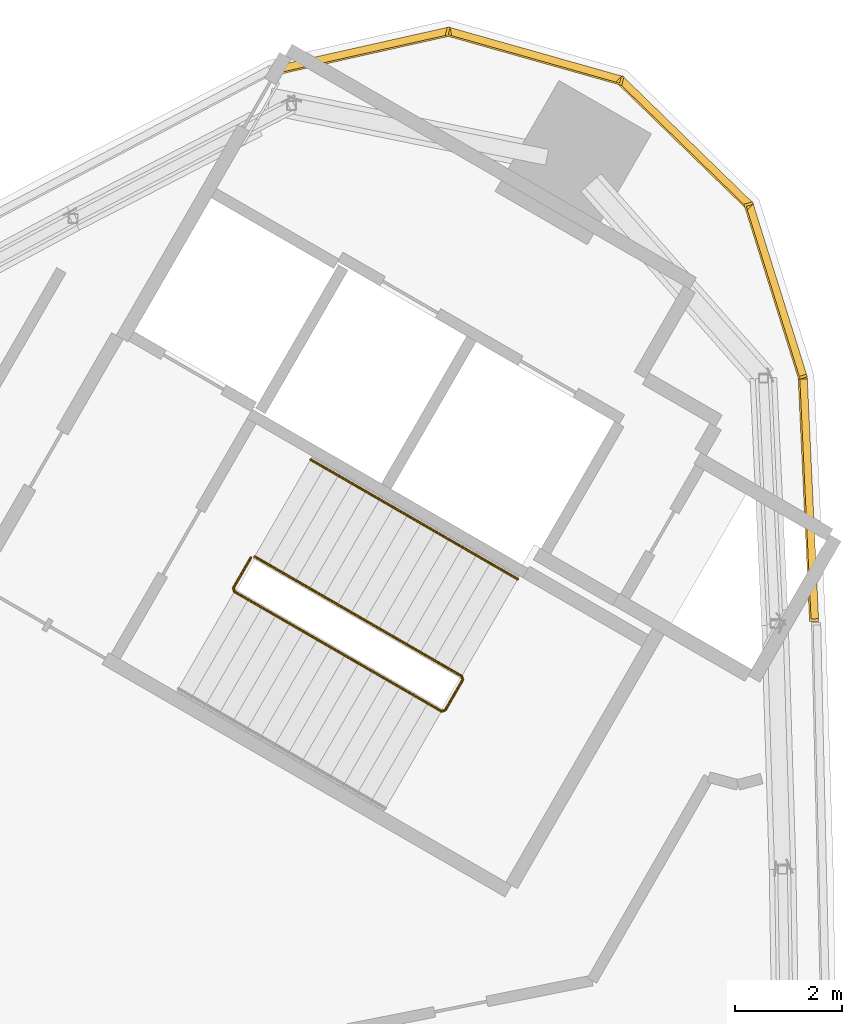
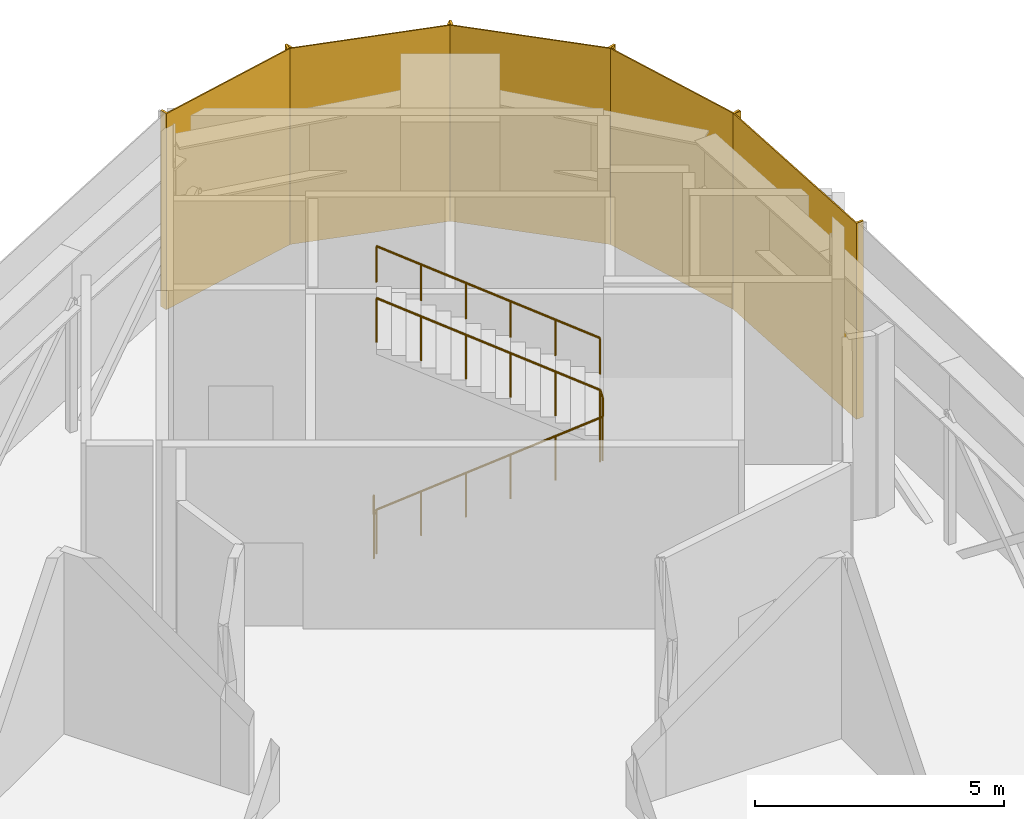
# One storey, part 21 of 21: 5 coverings, 2 railings.
"""IFC4 building model written with IfcOpenShell, lengths in metres."""

from ifc_helpers import new_model, si_unit, direction, frame, frame_2d, origin, origin_2d, place, context, subcontext, project, spatial, rectangle, circle, extrude, source, transform, mapped, material, type_object, element, save


model = new_model("IFC4")

# Units and contexts
model_context = context("Model", 3, precision=1e-05, world=origin(), true_north=direction((0.0, 1.0)))
body_context = subcontext(model_context, "Body", "Model", "MODEL_VIEW")
ifc_project = project(units=[si_unit("LENGTHUNIT", "METRE"), si_unit("AREAUNIT", "SQUARE_METRE"), si_unit("VOLUMEUNIT", "CUBIC_METRE"), si_unit("PLANEANGLEUNIT", "RADIAN"), si_unit("MASSUNIT", "GRAM", prefix="KILO")], contexts=[model_context])

# Site, building, storey
site_placement = place(None, origin())
site = spatial("IfcSite", under=ifc_project, at=site_placement, CompositionType="ELEMENT")
building_placement = place(site_placement, origin())
building = spatial("IfcBuilding", under=site, at=building_placement, Name="Tamra Quay Hotel Tower", CompositionType="ELEMENT")
storey_placement = place(building_placement, frame((0.0, 0.0, 301.800048828125)))
storey = spatial("IfcBuildingStorey", under=building, at=storey_placement, Name="L76", CompositionType="ELEMENT", Elevation=301.800048828125)

# Railings
ifc_material_1 = material(Name="Stair guard 1100")
railing_type_1 = type_object("IfcRailingType", Name="Stair guard 1100", PredefinedType="GUARDRAIL", material=ifc_material_1)
railing_1_placement = place(storey_placement, frame((5.595458984375, 12.751953125, 0.0)))
element("IfcRailing", 1, at=railing_1_placement, inside=storey, type_object=railing_type_1, Name="GR", PredefinedType="GUARDRAIL", context=body_context, shape_type="SweptSolid", body=[
    extrude(circle(Radius=0.02392578125, at=origin_2d()), frame((0.0, 0.0, 1.076171875), z_axis=(-0.499765215335, -0.866160914346, 0.0), x_axis=(0.866160914346, -0.499765215335, 0.0)), (0.0, 0.0, 1.0), 0.658935546875),
    extrude(circle(Radius=0.02392578125, at=origin_2d()), frame((-0.329345703125, -0.57080078125, 1.076171875), z_axis=(0.110525977783, -0.411156637351, 0.904839338113), x_axis=(0.965715946433, 0.259601060869, 0.0)), (0.0, 0.0, 1.0), 0.165771484375),
    extrude(circle(Radius=0.02392578125, at=origin_2d()), frame((-0.31103515625, -0.638916015625, 1.22607421875), z_axis=(0.774058831731, -0.446948546627, 0.448408208764), x_axis=(0.500038154266, 0.866003374288, 0.0)), (0.0, 0.0, 1.0), 5.017822265625),
    extrude(circle(Radius=0.02392578125, at=origin_2d()), frame((3.572998046875, -2.881591796875, 3.47607421875), z_axis=(0.965948051503, 0.258736085224, 0.0), x_axis=(-0.258736085224, 0.965948051503, 0.0)), (0.0, 0.0, 1.0), 0.07080078125),
    extrude(circle(Radius=0.02392578125, at=origin_2d()), frame((3.641357421875, -2.86328125, 3.47607421875), z_axis=(0.499765215335, 0.866160914346, 0.0), x_axis=(-0.866160914346, 0.499765215335, 0.0)), (0.0, 0.0, 1.0), 0.658935546875),
    extrude(circle(Radius=0.02392578125, at=origin_2d()), frame((3.970703125, -2.29248046875, 3.47607421875), z_axis=(-0.110312011401, 0.411831509231, 0.90455849349), x_axis=(-0.965948051503, -0.258736085224, 0.0)), (0.0, 0.0, 1.0), 0.166015625),
    extrude(circle(Radius=0.02392578125, at=origin_2d()), frame((3.952392578125, -2.22412109375, 3.6259765625), z_axis=(-0.774075664405, 0.446909609502, 0.448417959844), x_axis=(-0.499997328569, -0.86602694613, 0.0)), (0.0, 0.0, 1.0), 5.017578125),
    extrude(circle(Radius=0.02099609375, at=origin_2d()), origin(), (0.0, 0.0, 1.0), 1.052001953125),
    extrude(circle(Radius=0.02099609375, at=origin_2d()), frame((-0.329345703125, -0.57080078125, 0.0)), (0.0, 0.0, 1.0), 1.052001953125),
    extrude(circle(Radius=0.02099609375, at=origin_2d()), frame((-0.31103515625, -0.638916015625, 0.14990234375)), (0.0, 0.0, 1.0), 1.052001953125),
    extrude(circle(Radius=0.02099609375, at=origin_2d()), frame((0.4658203125, -1.08740234375, 0.599853515625)), (0.0, 0.0, 1.0), 1.052001953125),
    extrude(circle(Radius=0.02099609375, at=origin_2d()), frame((1.24267578125, -1.535888671875, 1.0498046875)), (0.0, 0.0, 1.0), 1.052001953125),
    extrude(circle(Radius=0.02099609375, at=origin_2d()), frame((2.019287109375, -1.984619140625, 1.5)), (0.0, 0.0, 1.0), 1.052001953125),
    extrude(circle(Radius=0.02099609375, at=origin_2d()), frame((2.796142578125, -2.43310546875, 1.949951171875)), (0.0, 0.0, 1.0), 1.052001953125),
    extrude(circle(Radius=0.02099609375, at=origin_2d()), frame((3.572998046875, -2.881591796875, 2.39990234375)), (0.0, 0.0, 1.0), 1.052001953125),
    extrude(circle(Radius=0.02099609375, at=origin_2d()), frame((3.641357421875, -2.86328125, 2.39990234375)), (0.0, 0.0, 1.0), 1.052001953125),
    extrude(circle(Radius=0.02099609375, at=origin_2d()), frame((3.970703125, -2.29248046875, 2.39990234375)), (0.0, 0.0, 1.0), 1.052001953125),
    extrude(circle(Radius=0.02099609375, at=origin_2d()), frame((3.952392578125, -2.22412109375, 2.550048828125)), (0.0, 0.0, 1.0), 1.052001953125),
    extrude(circle(Radius=0.02099609375, at=origin_2d()), frame((3.175537109375, -1.775634765625, 3.0)), (0.0, 0.0, 1.0), 1.052001953125),
    extrude(circle(Radius=0.02099609375, at=origin_2d()), frame((2.398681640625, -1.3271484375, 3.449951171875)), (0.0, 0.0, 1.0), 1.052001953125),
    extrude(circle(Radius=0.02099609375, at=origin_2d()), frame((1.6220703125, -0.878662109375, 3.900146484375)), (0.0, 0.0, 1.0), 1.052001953125),
    extrude(circle(Radius=0.02099609375, at=origin_2d()), frame((0.84521484375, -0.43017578125, 4.35009765625)), (0.0, 0.0, 1.0), 1.052001953125),
    extrude(circle(Radius=0.02099609375, at=origin_2d()), frame((0.068359375, 0.018310546875, 4.800048828125)), (0.0, 0.0, 1.0), 1.052001953125),
])
ifc_material_2 = material(Name="Stair handrail 900")
railing_type_2 = type_object("IfcRailingType", Name="Stair handrail 900", PredefinedType="HANDRAIL", material=ifc_material_2)
railing_2_placement = place(storey_placement, frame((10.597900390625, 12.346435546875, 2.550048828125)))
element("IfcRailing", 2, at=railing_2_placement, inside=storey, type_object=railing_type_2, Name="HR", PredefinedType="HANDRAIL", context=body_context, shape_type="SweptSolid", body=[
    extrude(circle(Radius=0.02392578125, at=origin_2d()), frame((0.0, 0.0, 0.8759765625), z_axis=(-0.774075664405, 0.446909609502, 0.448417959844), x_axis=(-0.499997328569, -0.86602694613, 0.0)), (0.0, 0.0, 1.0), 5.017578125),
    extrude(circle(Radius=0.02099609375, at=origin_2d()), origin(), (0.0, 0.0, 1.0), 0.851806640625),
    extrude(circle(Radius=0.02099609375, at=origin_2d()), frame((-0.77685546875, 0.448486328125, 0.449951171875)), (0.0, 0.0, 1.0), 0.851806640625),
    extrude(circle(Radius=0.02099609375, at=origin_2d()), frame((-1.5537109375, 0.89697265625, 0.89990234375)), (0.0, 0.0, 1.0), 0.851806640625),
    extrude(circle(Radius=0.02099609375, at=origin_2d()), frame((-2.330322265625, 1.345458984375, 1.35009765625)), (0.0, 0.0, 1.0), 0.851806640625),
    extrude(circle(Radius=0.02099609375, at=origin_2d()), frame((-3.107177734375, 1.7939453125, 1.800048828125)), (0.0, 0.0, 1.0), 0.851806640625),
    extrude(circle(Radius=0.02099609375, at=origin_2d()), frame((-3.884033203125, 2.242431640625, 2.25)), (0.0, 0.0, 1.0), 0.851806640625),
])

# Coverings
ifc_material_3 = material(Name="Terracotta louvre panel", Category="masonry")
covering_type = type_object("IfcCoveringType", Name="PLANT LOUVRE H4800", PredefinedType="USERDEFINED", material=ifc_material_3)
shared_shape_1 = source(origin(), body_context, "Body", "SweptSolid", [
    extrude(rectangle(XDim=4.60009765625, YDim=0.030029296875, at=frame_2d((2.300048828125, 0.01513671875))), frame((-2.300048828125, -0.030029296875, 0.0)), (0.0, 0.0, 1.0), 4.800048828125),
    extrude(rectangle(XDim=0.050048828125, YDim=0.139892578125, at=frame_2d((0.02490234375, 0.06982421875))), frame((-2.300048828125, -0.169921875, 0.0)), (0.0, 0.0, 1.0), 4.800048828125),
    extrude(rectangle(XDim=0.050048828125, YDim=0.139892578125, at=frame_2d((0.02490234375, 0.06982421875))), frame((2.25, -0.169921875, 0.0)), (0.0, 0.0, 1.0), 4.800048828125),
    extrude(rectangle(XDim=4.5, YDim=0.139892578125, at=frame_2d((2.25, 0.06982421875))), frame((-2.25, -0.169921875, 0.050048828125)), (0.0, 0.0, 1.0), 0.034912109375),
    extrude(rectangle(XDim=4.5, YDim=0.139892578125, at=frame_2d((2.25, 0.06982421875))), frame((-2.25, -0.169921875, 0.2099609375)), (0.0, 0.0, 1.0), 0.034912109375),
    extrude(rectangle(XDim=4.5, YDim=0.139892578125, at=frame_2d((2.25, 0.06982421875))), frame((-2.25, -0.169921875, 0.3701171875)), (0.0, 0.0, 1.0), 0.034912109375),
    extrude(rectangle(XDim=4.5, YDim=0.139892578125, at=frame_2d((2.25, 0.06982421875))), frame((-2.25, -0.169921875, 0.530029296875)), (0.0, 0.0, 1.0), 0.034912109375),
    extrude(rectangle(XDim=4.5, YDim=0.139892578125, at=frame_2d((2.25, 0.06982421875))), frame((-2.25, -0.169921875, 0.68994140625)), (0.0, 0.0, 1.0), 0.034912109375),
    extrude(rectangle(XDim=4.5, YDim=0.139892578125, at=frame_2d((2.25, 0.06982421875))), frame((-2.25, -0.169921875, 0.85009765625)), (0.0, 0.0, 1.0), 0.034912109375),
    extrude(rectangle(XDim=4.5, YDim=0.139892578125, at=frame_2d((2.25, 0.06982421875))), frame((-2.25, -0.169921875, 1.010009765625)), (0.0, 0.0, 1.0), 0.034912109375),
    extrude(rectangle(XDim=4.5, YDim=0.139892578125, at=frame_2d((2.25, 0.06982421875))), frame((-2.25, -0.169921875, 1.169921875)), (0.0, 0.0, 1.0), 0.034912109375),
    extrude(rectangle(XDim=4.5, YDim=0.139892578125, at=frame_2d((2.25, 0.06982421875))), frame((-2.25, -0.169921875, 1.330078125)), (0.0, 0.0, 1.0), 0.034912109375),
    extrude(rectangle(XDim=4.5, YDim=0.139892578125, at=frame_2d((2.25, 0.06982421875))), frame((-2.25, -0.169921875, 1.489990234375)), (0.0, 0.0, 1.0), 0.034912109375),
    extrude(rectangle(XDim=4.5, YDim=0.139892578125, at=frame_2d((2.25, 0.06982421875))), frame((-2.25, -0.169921875, 1.64990234375)), (0.0, 0.0, 1.0), 0.034912109375),
    extrude(rectangle(XDim=4.5, YDim=0.139892578125, at=frame_2d((2.25, 0.06982421875))), frame((-2.25, -0.169921875, 1.81005859375)), (0.0, 0.0, 1.0), 0.034912109375),
    extrude(rectangle(XDim=4.5, YDim=0.139892578125, at=frame_2d((2.25, 0.06982421875))), frame((-2.25, -0.169921875, 1.969970703125)), (0.0, 0.0, 1.0), 0.034912109375),
    extrude(rectangle(XDim=4.5, YDim=0.139892578125, at=frame_2d((2.25, 0.06982421875))), frame((-2.25, -0.169921875, 2.1298828125)), (0.0, 0.0, 1.0), 0.034912109375),
    extrude(rectangle(XDim=4.5, YDim=0.139892578125, at=frame_2d((2.25, 0.06982421875))), frame((-2.25, -0.169921875, 2.2900390625)), (0.0, 0.0, 1.0), 0.034912109375),
    extrude(rectangle(XDim=4.5, YDim=0.139892578125, at=frame_2d((2.25, 0.06982421875))), frame((-2.25, -0.169921875, 2.449951171875)), (0.0, 0.0, 1.0), 0.034912109375),
    extrude(rectangle(XDim=4.5, YDim=0.139892578125, at=frame_2d((2.25, 0.06982421875))), frame((-2.25, -0.169921875, 2.610107421875)), (0.0, 0.0, 1.0), 0.034912109375),
    extrude(rectangle(XDim=4.5, YDim=0.139892578125, at=frame_2d((2.25, 0.06982421875))), frame((-2.25, -0.169921875, 2.77001953125)), (0.0, 0.0, 1.0), 0.034912109375),
    extrude(rectangle(XDim=4.5, YDim=0.139892578125, at=frame_2d((2.25, 0.06982421875))), frame((-2.25, -0.169921875, 2.929931640625)), (0.0, 0.0, 1.0), 0.034912109375),
    extrude(rectangle(XDim=4.5, YDim=0.139892578125, at=frame_2d((2.25, 0.06982421875))), frame((-2.25, -0.169921875, 3.090087890625)), (0.0, 0.0, 1.0), 0.034912109375),
    extrude(rectangle(XDim=4.5, YDim=0.139892578125, at=frame_2d((2.25, 0.06982421875))), frame((-2.25, -0.169921875, 3.25)), (0.0, 0.0, 1.0), 0.034912109375),
    extrude(rectangle(XDim=4.5, YDim=0.139892578125, at=frame_2d((2.25, 0.06982421875))), frame((-2.25, -0.169921875, 3.409912109375)), (0.0, 0.0, 1.0), 0.034912109375),
    extrude(rectangle(XDim=4.5, YDim=0.139892578125, at=frame_2d((2.25, 0.06982421875))), frame((-2.25, -0.169921875, 3.570068359375)), (0.0, 0.0, 1.0), 0.034912109375),
    extrude(rectangle(XDim=4.5, YDim=0.139892578125, at=frame_2d((2.25, 0.06982421875))), frame((-2.25, -0.169921875, 3.72998046875)), (0.0, 0.0, 1.0), 0.034912109375),
    extrude(rectangle(XDim=4.5, YDim=0.139892578125, at=frame_2d((2.25, 0.06982421875))), frame((-2.25, -0.169921875, 3.889892578125)), (0.0, 0.0, 1.0), 0.034912109375),
    extrude(rectangle(XDim=4.5, YDim=0.139892578125, at=frame_2d((2.25, 0.06982421875))), frame((-2.25, -0.169921875, 4.050048828125)), (0.0, 0.0, 1.0), 0.034912109375),
    extrude(rectangle(XDim=4.5, YDim=0.139892578125, at=frame_2d((2.25, 0.06982421875))), frame((-2.25, -0.169921875, 4.2099609375)), (0.0, 0.0, 1.0), 0.034912109375),
    extrude(rectangle(XDim=4.5, YDim=0.139892578125, at=frame_2d((2.25, 0.06982421875))), frame((-2.25, -0.169921875, 4.3701171875)), (0.0, 0.0, 1.0), 0.034912109375),
    extrude(rectangle(XDim=4.5, YDim=0.139892578125, at=frame_2d((2.25, 0.06982421875))), frame((-2.25, -0.169921875, 4.530029296875)), (0.0, 0.0, 1.0), 0.034912109375),
])
covering_placement = place(storey_placement, frame((15.960693359375, 13.846435546875, 0.0), z_axis=(0.0, 0.0, 1.0), x_axis=(-0.046821305973, 0.998903281257, 0.0)))
element("IfcCovering", 3, at=covering_placement, inside=storey, type_object=covering_type, Name="Plant louvre L76.E.f06", ObjectType="LOUVER", PredefinedType="USERDEFINED", context=body_context, shape_type="MappedRepresentation", body=[
    mapped(shared_shape_1, transform((0.0, 0.0, 0.0), scale=1.0)),
])
shared_shape_2 = source(origin(), body_context, "Body", "SweptSolid", [
    extrude(rectangle(XDim=3.43994140625, YDim=0.030029296875, at=frame_2d((1.719970703125, 0.01513671875))), frame((-1.719970703125, -0.030029296875, 0.0)), (0.0, 0.0, 1.0), 4.800048828125),
    extrude(rectangle(XDim=0.050048828125, YDim=0.139892578125, at=frame_2d((0.02490234375, 0.06982421875))), frame((-1.719970703125, -0.169921875, 0.0)), (0.0, 0.0, 1.0), 4.800048828125),
    extrude(rectangle(XDim=0.050048828125, YDim=0.139892578125, at=frame_2d((0.02490234375, 0.06982421875))), frame((1.669921875, -0.169921875, 0.0)), (0.0, 0.0, 1.0), 4.800048828125),
    extrude(rectangle(XDim=3.340087890625, YDim=0.139892578125, at=frame_2d((1.669921875, 0.06982421875))), frame((-1.669921875, -0.169921875, 0.050048828125)), (0.0, 0.0, 1.0), 0.034912109375),
    extrude(rectangle(XDim=3.340087890625, YDim=0.139892578125, at=frame_2d((1.669921875, 0.06982421875))), frame((-1.669921875, -0.169921875, 0.2099609375)), (0.0, 0.0, 1.0), 0.034912109375),
    extrude(rectangle(XDim=3.340087890625, YDim=0.139892578125, at=frame_2d((1.669921875, 0.06982421875))), frame((-1.669921875, -0.169921875, 0.3701171875)), (0.0, 0.0, 1.0), 0.034912109375),
    extrude(rectangle(XDim=3.340087890625, YDim=0.139892578125, at=frame_2d((1.669921875, 0.06982421875))), frame((-1.669921875, -0.169921875, 0.530029296875)), (0.0, 0.0, 1.0), 0.034912109375),
    extrude(rectangle(XDim=3.340087890625, YDim=0.139892578125, at=frame_2d((1.669921875, 0.06982421875))), frame((-1.669921875, -0.169921875, 0.68994140625)), (0.0, 0.0, 1.0), 0.034912109375),
    extrude(rectangle(XDim=3.340087890625, YDim=0.139892578125, at=frame_2d((1.669921875, 0.06982421875))), frame((-1.669921875, -0.169921875, 0.85009765625)), (0.0, 0.0, 1.0), 0.034912109375),
    extrude(rectangle(XDim=3.340087890625, YDim=0.139892578125, at=frame_2d((1.669921875, 0.06982421875))), frame((-1.669921875, -0.169921875, 1.010009765625)), (0.0, 0.0, 1.0), 0.034912109375),
    extrude(rectangle(XDim=3.340087890625, YDim=0.139892578125, at=frame_2d((1.669921875, 0.06982421875))), frame((-1.669921875, -0.169921875, 1.169921875)), (0.0, 0.0, 1.0), 0.034912109375),
    extrude(rectangle(XDim=3.340087890625, YDim=0.139892578125, at=frame_2d((1.669921875, 0.06982421875))), frame((-1.669921875, -0.169921875, 1.330078125)), (0.0, 0.0, 1.0), 0.034912109375),
    extrude(rectangle(XDim=3.340087890625, YDim=0.139892578125, at=frame_2d((1.669921875, 0.06982421875))), frame((-1.669921875, -0.169921875, 1.489990234375)), (0.0, 0.0, 1.0), 0.034912109375),
    extrude(rectangle(XDim=3.340087890625, YDim=0.139892578125, at=frame_2d((1.669921875, 0.06982421875))), frame((-1.669921875, -0.169921875, 1.64990234375)), (0.0, 0.0, 1.0), 0.034912109375),
    extrude(rectangle(XDim=3.340087890625, YDim=0.139892578125, at=frame_2d((1.669921875, 0.06982421875))), frame((-1.669921875, -0.169921875, 1.81005859375)), (0.0, 0.0, 1.0), 0.034912109375),
    extrude(rectangle(XDim=3.340087890625, YDim=0.139892578125, at=frame_2d((1.669921875, 0.06982421875))), frame((-1.669921875, -0.169921875, 1.969970703125)), (0.0, 0.0, 1.0), 0.034912109375),
    extrude(rectangle(XDim=3.340087890625, YDim=0.139892578125, at=frame_2d((1.669921875, 0.06982421875))), frame((-1.669921875, -0.169921875, 2.1298828125)), (0.0, 0.0, 1.0), 0.034912109375),
    extrude(rectangle(XDim=3.340087890625, YDim=0.139892578125, at=frame_2d((1.669921875, 0.06982421875))), frame((-1.669921875, -0.169921875, 2.2900390625)), (0.0, 0.0, 1.0), 0.034912109375),
    extrude(rectangle(XDim=3.340087890625, YDim=0.139892578125, at=frame_2d((1.669921875, 0.06982421875))), frame((-1.669921875, -0.169921875, 2.449951171875)), (0.0, 0.0, 1.0), 0.034912109375),
    extrude(rectangle(XDim=3.340087890625, YDim=0.139892578125, at=frame_2d((1.669921875, 0.06982421875))), frame((-1.669921875, -0.169921875, 2.610107421875)), (0.0, 0.0, 1.0), 0.034912109375),
    extrude(rectangle(XDim=3.340087890625, YDim=0.139892578125, at=frame_2d((1.669921875, 0.06982421875))), frame((-1.669921875, -0.169921875, 2.77001953125)), (0.0, 0.0, 1.0), 0.034912109375),
    extrude(rectangle(XDim=3.340087890625, YDim=0.139892578125, at=frame_2d((1.669921875, 0.06982421875))), frame((-1.669921875, -0.169921875, 2.929931640625)), (0.0, 0.0, 1.0), 0.034912109375),
    extrude(rectangle(XDim=3.340087890625, YDim=0.139892578125, at=frame_2d((1.669921875, 0.06982421875))), frame((-1.669921875, -0.169921875, 3.090087890625)), (0.0, 0.0, 1.0), 0.034912109375),
    extrude(rectangle(XDim=3.340087890625, YDim=0.139892578125, at=frame_2d((1.669921875, 0.06982421875))), frame((-1.669921875, -0.169921875, 3.25)), (0.0, 0.0, 1.0), 0.034912109375),
    extrude(rectangle(XDim=3.340087890625, YDim=0.139892578125, at=frame_2d((1.669921875, 0.06982421875))), frame((-1.669921875, -0.169921875, 3.409912109375)), (0.0, 0.0, 1.0), 0.034912109375),
    extrude(rectangle(XDim=3.340087890625, YDim=0.139892578125, at=frame_2d((1.669921875, 0.06982421875))), frame((-1.669921875, -0.169921875, 3.570068359375)), (0.0, 0.0, 1.0), 0.034912109375),
    extrude(rectangle(XDim=3.340087890625, YDim=0.139892578125, at=frame_2d((1.669921875, 0.06982421875))), frame((-1.669921875, -0.169921875, 3.72998046875)), (0.0, 0.0, 1.0), 0.034912109375),
    extrude(rectangle(XDim=3.340087890625, YDim=0.139892578125, at=frame_2d((1.669921875, 0.06982421875))), frame((-1.669921875, -0.169921875, 3.889892578125)), (0.0, 0.0, 1.0), 0.034912109375),
    extrude(rectangle(XDim=3.340087890625, YDim=0.139892578125, at=frame_2d((1.669921875, 0.06982421875))), frame((-1.669921875, -0.169921875, 4.050048828125)), (0.0, 0.0, 1.0), 0.034912109375),
    extrude(rectangle(XDim=3.340087890625, YDim=0.139892578125, at=frame_2d((1.669921875, 0.06982421875))), frame((-1.669921875, -0.169921875, 4.2099609375)), (0.0, 0.0, 1.0), 0.034912109375),
    extrude(rectangle(XDim=3.340087890625, YDim=0.139892578125, at=frame_2d((1.669921875, 0.06982421875))), frame((-1.669921875, -0.169921875, 4.3701171875)), (0.0, 0.0, 1.0), 0.034912109375),
    extrude(rectangle(XDim=3.340087890625, YDim=0.139892578125, at=frame_2d((1.669921875, 0.06982421875))), frame((-1.669921875, -0.169921875, 4.530029296875)), (0.0, 0.0, 1.0), 0.034912109375),
])
for number, where, z_axis, x_axis, name in (
    (4, (15.34912109375, 17.73193359375, 0.0), (0.0, 0.0, 1.0), (-0.29839239288, 0.954443282689, 0.0), "Plant louvre L76.E.c00"),
    (5, (13.6689453125, 20.466064453125, 0.0), (0.0, 0.0, 1.0), (-0.716752699854, 0.69732744622, 0.0), "Plant louvre L76.E.c01"),
    (6, (10.8896484375, 22.070556640625, 0.0), (0.0, 0.0, 1.0), (-0.96227963311, 0.272062323195, 0.0), "Plant louvre L76.E.c02"),
    (7, (7.681640625, 22.15869140625, 0.0), (0.0, 0.0, 1.0), (-0.975768325721, -0.218806248814, 0.0), "Plant louvre L76.E.c03"),
):
    element("IfcCovering", number, at=place(storey_placement, frame(where, z_axis=z_axis, x_axis=x_axis)), inside=storey, type_object=covering_type, Name=name, ObjectType="LOUVER", PredefinedType="USERDEFINED", context=body_context, shape_type="MappedRepresentation", body=[
        mapped(shared_shape_2, transform((0.0, 0.0, 0.0), scale=1.0)),
    ])

save(model, "model.ifc")
